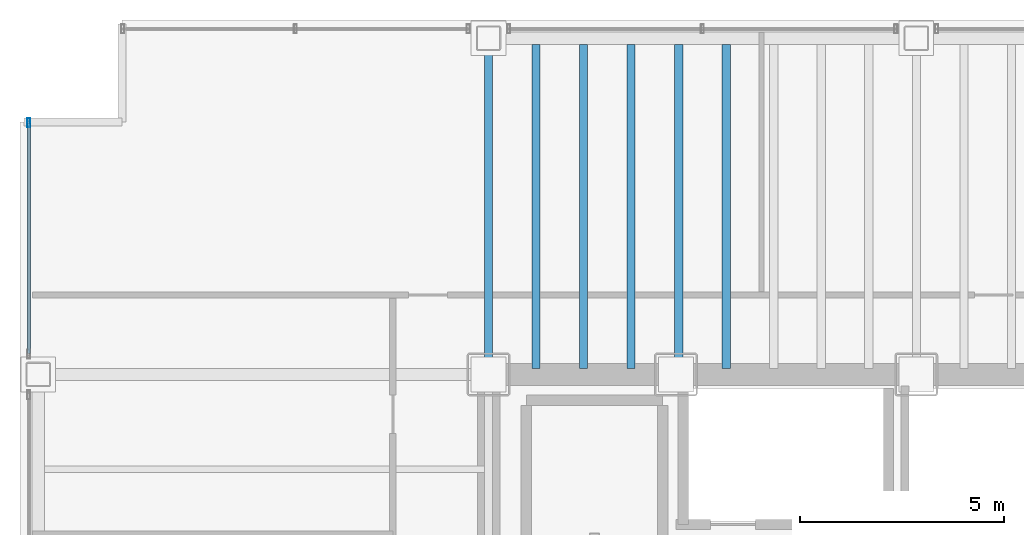
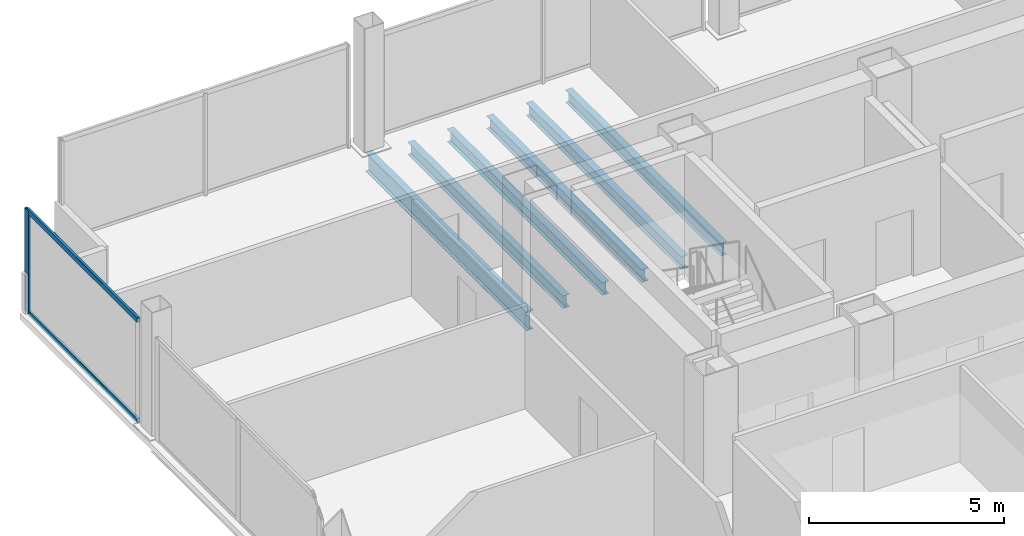
# One storey, part 7 of 21: 6 beams, 3 members, 1 element without a shape of its own.
"""IFC4 building model written with IfcOpenShell, lengths in metres."""

from ifc_helpers import new_model, si_unit, direction, frame, origin, origin_2d, place, context, subcontext, project, spatial, hollow_rectangle, i_section, extrude, material, material_profile, profile_set, type_object, element, aggregate, save


model = new_model("IFC4")

# Units and contexts
model_context = context("Model", 3, precision=1e-05, world=origin(), true_north=direction((0.0, 1.0)))
body_context = subcontext(model_context, "Body", "Model", "MODEL_VIEW")
ifc_project = project(units=[si_unit("LENGTHUNIT", "METRE"), si_unit("AREAUNIT", "SQUARE_METRE"), si_unit("VOLUMEUNIT", "CUBIC_METRE"), si_unit("PLANEANGLEUNIT", "RADIAN"), si_unit("MASSUNIT", "GRAM", prefix="KILO")], contexts=[model_context])

# Site, building, storey
site_placement = place(None, origin())
site = spatial("IfcSite", under=ifc_project, at=site_placement, CompositionType="ELEMENT")
building_placement = place(site_placement, origin())
building = spatial("IfcBuilding", under=site, at=building_placement, Name="Noeulbin Bourse Tower", CompositionType="ELEMENT")
storey_placement = place(building_placement, frame((0.0, 0.0, 34.300048828125)))
storey = spatial("IfcBuildingStorey", under=building, at=storey_placement, Name="L08", CompositionType="ELEMENT", Elevation=34.300048828125)

# Beams
ifc_material_1 = material(Name="Steel S355", Category="steel")
ifc_material_profile_1 = material_profile(ifc_material_1, i_section(OverallWidth=0.199951171875, OverallDepth=0.60009765625, WebThickness=0.010986328125, FlangeThickness=0.01708984375, FilletRadius=0.02197265625, at=origin_2d()), Name="H-600x200x11x17", Category="LoadBearing")
ifc_profile_set_1 = profile_set([ifc_material_profile_1], Name="Steel S355")
beam_type_1 = type_object("IfcBeamType", Name="BM-GRD-600", PredefinedType="USERDEFINED", material=ifc_profile_set_1)
beam_placement = place(storey_placement, frame((13.5, 38.300048828125, -0.47998046875), z_axis=(0.0, 1.0, 0.0), x_axis=(-1.0, 0.0, 0.0)))
element("IfcBeam", 1, at=beam_placement, inside=storey, type_object=beam_type_1, Name="Tower Primary Girder NS L08-1.4", ObjectType="GIRDER", PredefinedType="USERDEFINED", context=body_context, shape_type="SweptSolid", body=[
    extrude(i_section(OverallWidth=0.199951171875, OverallDepth=0.60009765625, WebThickness=0.010986328125, FlangeThickness=0.01708984375, FilletRadius=0.02197265625, at=origin_2d()), origin(), (0.0, 0.0, 1.0), 8.25),
])
ifc_material_profile_2 = material_profile(ifc_material_1, i_section(OverallWidth=0.199951171875, OverallDepth=0.39990234375, WebThickness=0.008056640625, FlangeThickness=0.012939453125, FilletRadius=0.01611328125, at=origin_2d()), Name="H-400x200x8x13", Category="LoadBearing")
ifc_profile_set_2 = profile_set([ifc_material_profile_2], Name="Steel S355")
beam_type_2 = type_object("IfcBeamType", Name="BM-SEC-400", PredefinedType="BEAM", material=ifc_profile_set_2)
for number, where, z_axis, x_axis, name in (
    (2, (14.666748046875, 38.449951171875, -0.380126953125), (0.0, 1.0, 0.0), (-1.0, 0.0, 0.0), "Tower Composite Joist L08-03"),
    (3, (15.833251953125, 38.449951171875, -0.380126953125), (0.0, 1.0, 0.0), (-1.0, 0.0, 0.0), "Tower Composite Joist L08-06"),
    (4, (17.0, 38.449951171875, -0.380126953125), (0.0, 1.0, 0.0), (-1.0, 0.0, 0.0), "Tower Composite Joist L08-09"),
    (5, (18.166748046875, 38.449951171875, -0.380126953125), (0.0, 1.0, 0.0), (-1.0, 0.0, 0.0), "Tower Composite Joist L08-11"),
    (6, (19.333251953125, 38.449951171875, -0.380126953125), (0.0, 1.0, 0.0), (-1.0, 0.0, 0.0), "Tower Composite Joist L08-14"),
):
    element("IfcBeam", number, at=place(storey_placement, frame(where, z_axis=z_axis, x_axis=x_axis)), inside=storey, type_object=beam_type_2, Name=name, PredefinedType="BEAM", context=body_context, shape_type="SweptSolid", body=[
        extrude(i_section(OverallWidth=0.199951171875, OverallDepth=0.39990234375, WebThickness=0.008056640625, FlangeThickness=0.012939453125, FilletRadius=0.01611328125, at=origin_2d()), origin(), (0.0, 0.0, 1.0), 7.949951171875),
    ])

# Curtain wall, members
ifc_material_2 = material(Name="Dark Solar-Control Double Glazing", Category="glass")
curtain_wall_type = type_object("IfcCurtainWallType", Name="CW-SYS-2", PredefinedType="NOTDEFINED", material=ifc_material_2)
curtain_wall_placement = place(storey_placement, origin())
curtain_wall = element("IfcCurtainWall", 7, at=curtain_wall_placement, inside=storey, type_object=curtain_wall_type, Name="Unitised Curtain Wall CW-L08-W-S4", PredefinedType="NOTDEFINED")
ifc_material_3 = material(Name="Anodised Aluminium 6063-T6", Category="aluminium")
ifc_material_profile_3 = material_profile(ifc_material_3, hollow_rectangle(XDim=0.074951171875, YDim=0.219970703125, WallThickness=0.0048828125, InnerFilletRadius=0.00244140625, OuterFilletRadius=0.0048828125, at=origin_2d()), Name="ALU-MULL-75x220x5", Category="LoadBearing")
ifc_profile_set_3 = profile_set([ifc_material_profile_3], Name="Anodised Aluminium 6063-T6")
member_type_1 = type_object("IfcMemberType", Name="CW-SYS-2-MUL", PredefinedType="MULLION", material=ifc_profile_set_3)
member_1_placement = place(storey_placement, frame((2.219970703125, 44.47998046875, -0.02001953125), z_axis=(0.0, 0.0, 1.0), x_axis=(1.0, 0.0, 0.0)))
member_1 = element("IfcMember", 8, at=member_1_placement, type_object=member_type_1, Name="Curtain Wall Mullion CW-L08-W-S4-M01", PredefinedType="MULLION", context=body_context, shape_type="SweptSolid", body=[
    extrude(hollow_rectangle(XDim=0.074951171875, YDim=0.219970703125, WallThickness=0.0048828125, InnerFilletRadius=0.00244140625, OuterFilletRadius=0.0048828125, at=origin_2d()), origin(), (0.0, 0.0, 1.0), 3.219970703125),
])
ifc_material_profile_4 = material_profile(ifc_material_3, hollow_rectangle(XDim=0.074951171875, YDim=0.159912109375, WallThickness=0.0048828125, InnerFilletRadius=0.00244140625, OuterFilletRadius=0.0048828125, at=origin_2d()), Name="ALU-TRAN-75x160x5", Category="LoadBearing")
ifc_profile_set_4 = profile_set([ifc_material_profile_4], Name="Anodised Aluminium 6063-T6")
member_type_2 = type_object("IfcMemberType", Name="CW-SYS-2-TRN", PredefinedType="USERDEFINED", material=ifc_profile_set_4)
member_2_placement = place(storey_placement, frame((2.219970703125, 38.81005859375, 0.010009765625), z_axis=(0.0, 1.0, 0.0), x_axis=(-1.0, 0.0, 0.0)))
member_2 = element("IfcMember", 9, at=member_2_placement, type_object=member_type_2, Name="Curtain Wall Transom CW-L08-W-S4-T00", ObjectType="TRANSOM", PredefinedType="USERDEFINED", context=body_context, shape_type="SweptSolid", body=[
    extrude(hollow_rectangle(XDim=0.074951171875, YDim=0.159912109375, WallThickness=0.0048828125, InnerFilletRadius=0.00244140625, OuterFilletRadius=0.0048828125, at=origin_2d()), origin(), (0.0, 0.0, 1.0), 5.659912109375),
])
member_3_placement = place(storey_placement, frame((2.219970703125, 38.81005859375, 3.169921875), z_axis=(0.0, 1.0, 0.0), x_axis=(-1.0, 0.0, 0.0)))
member_3 = element("IfcMember", 10, at=member_3_placement, type_object=member_type_2, Name="Curtain Wall Transom CW-L08-W-S4-T01", ObjectType="TRANSOM", PredefinedType="USERDEFINED", context=body_context, shape_type="SweptSolid", body=[
    extrude(hollow_rectangle(XDim=0.074951171875, YDim=0.159912109375, WallThickness=0.0048828125, InnerFilletRadius=0.00244140625, OuterFilletRadius=0.0048828125, at=origin_2d()), origin(), (0.0, 0.0, 1.0), 5.659912109375),
])
aggregate(curtain_wall, [member_1, member_2, member_3])

save(model, "model.ifc")
